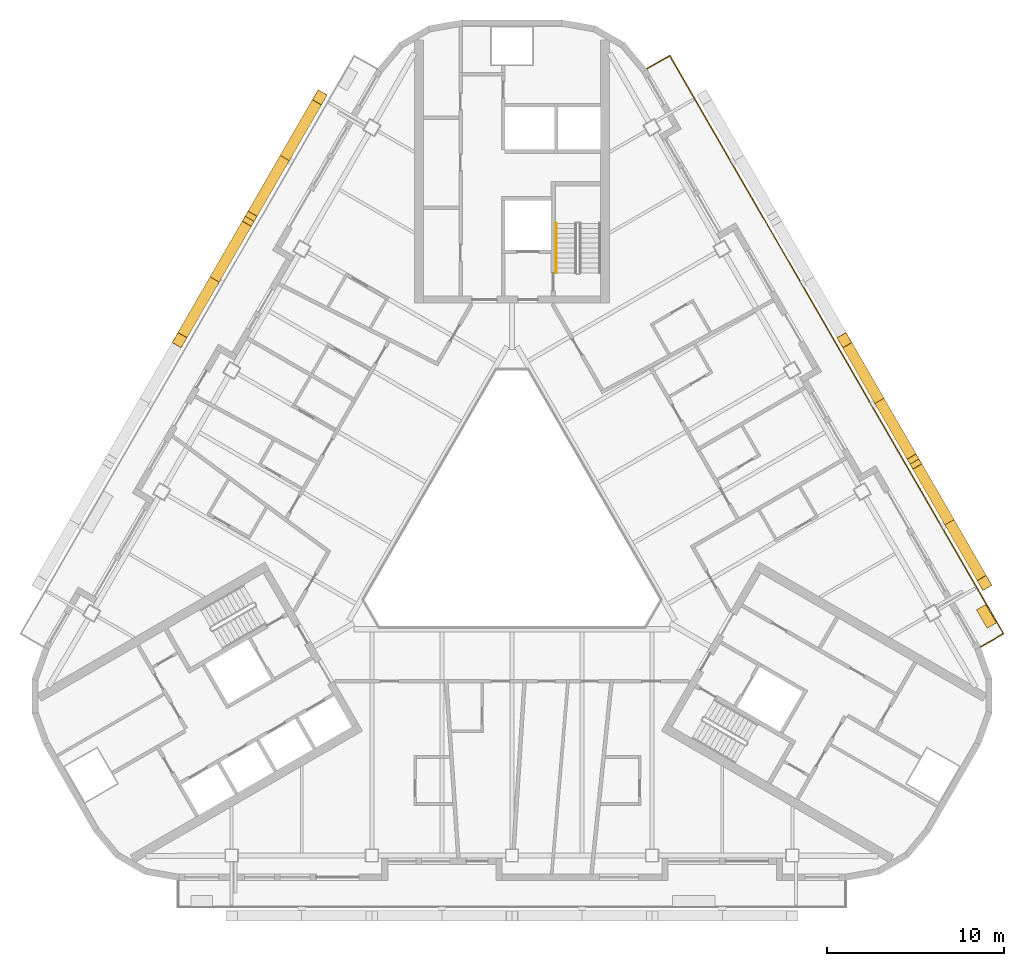
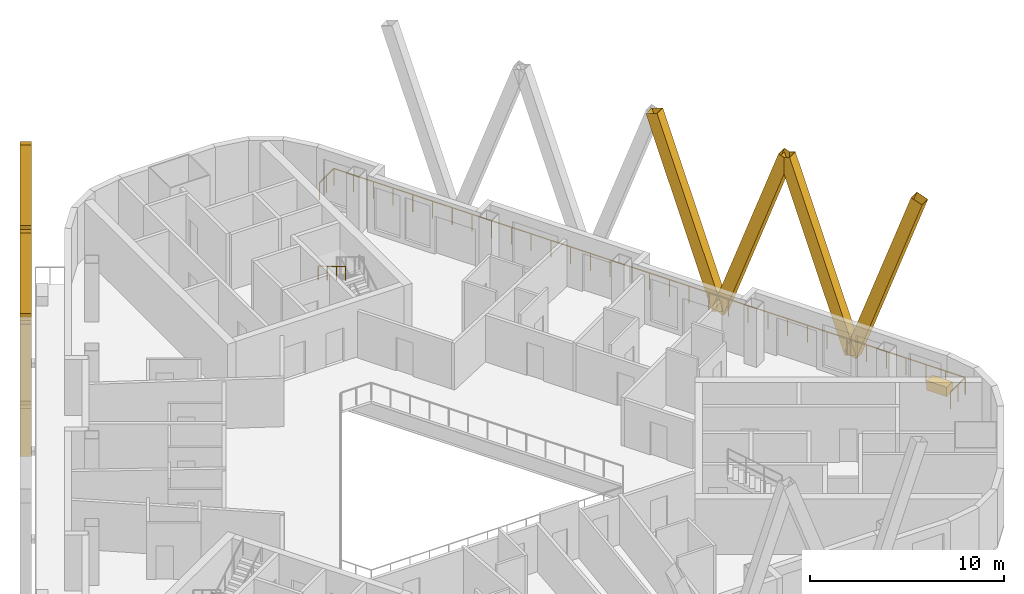
# One storey, part 13 of 14: 8 shading devices, 2 railings, 1 covering.
"""IFC4 building model written with IfcOpenShell, lengths in metres."""

import ifcopenshell
import ifcopenshell.guid

model = None  # the IFC model being written
_history = None  # IfcOwnerHistory: only IFC2X3 demands one
_inside = {}  # id of a spatial element -> (the spatial element, [elements in it])
_under = {}  # id of a project, library or spatial element -> (it, [spatial elements below it])
_declared = {}  # id of a project -> (the project, [libraries it declares])
_typed = {}  # id of a type object -> (the type object, [elements of that type])
_made_of = {}  # id of a material, layer set ... -> (it, [elements and type objects made of it])


def new_model(schema):
    """Start an empty IFC model of exactly this schema.

    Asked for "IFC4X3", IfcOpenShell would pick the latest addendum, in which some entities
    have other attributes; the version numbers below select the first issue.
    IFC2X3 requires an IfcOwnerHistory on every rooted entity: one is made here for all.
    """
    global model, _history
    if schema == "IFC4X3":
        model = ifcopenshell.file(schema_version=(4, 3, 0, 0))
    else:
        model = ifcopenshell.file(schema=schema)
    _inside.clear()
    _under.clear()
    _declared.clear()
    _typed.clear()
    _made_of.clear()
    _history = None
    if model.schema == "IFC2X3":
        org = make("IfcOrganization", Name="unknown")
        user = make(
            "IfcPersonAndOrganization",
            ThePerson=make("IfcPerson", FamilyName="unknown"),
            TheOrganization=org,
        )
        app = make(
            "IfcApplication",
            ApplicationDeveloper=org,
            Version="unknown",
            ApplicationFullName="unknown",
            ApplicationIdentifier="unknown",
        )
        _history = make(
            "IfcOwnerHistory",
            OwningUser=user,
            OwningApplication=app,
            ChangeAction="ADDED",
            CreationDate=0,
        )
    return model


def make(cls, **values):
    """One entity of the class cls with the attributes given. An attribute that is None is left unset."""
    return model.create_entity(
        cls, **{name: value for name, value in values.items() if value is not None}
    )


def rooted(cls, **values):
    """An entity with a GlobalId (a new one), such as an element, a storey or a relation."""
    return make(cls, GlobalId=ifcopenshell.guid.new(), OwnerHistory=_history, **values)


def si_unit(unit_type, name, prefix=None):
    """IfcSIUnit, for example si_unit("LENGTHUNIT", "METRE", prefix="MILLI")."""
    return make("IfcSIUnit", UnitType=unit_type, Prefix=prefix, Name=name)


def assignment(units):
    """IfcUnitAssignment: the units of a project."""
    return None if units is None else make("IfcUnitAssignment", Units=units)


def point(xyz):
    """IfcCartesianPoint."""
    return None if xyz is None else make("IfcCartesianPoint", Coordinates=xyz)


def direction(xyz):
    """IfcDirection."""
    return None if xyz is None else make("IfcDirection", DirectionRatios=xyz)


def frame(location, z_axis=None, x_axis=None):
    """IfcAxis2Placement3D, a coordinate frame: its origin and axes. An axis left out is left unset."""
    return make(
        "IfcAxis2Placement3D",
        Location=point(location),
        Axis=direction(z_axis),
        RefDirection=direction(x_axis),
    )


def frame_2d(location, x_axis=None):
    """IfcAxis2Placement2D, a coordinate frame in the plane: its origin and x axis."""
    return make(
        "IfcAxis2Placement2D", Location=point(location), RefDirection=direction(x_axis)
    )


def origin():
    """The frame at (0, 0, 0) with its axes left unset."""
    return frame((0.0, 0.0, 0.0))


def origin_2d():
    """The frame at (0, 0) in the plane with its x axis left unset."""
    return frame_2d((0.0, 0.0))


def place(relative_to, where):
    """IfcLocalPlacement: puts the frame where relative to a parent placement (None: the world)."""
    return make(
        "IfcLocalPlacement", PlacementRelTo=relative_to, RelativePlacement=where
    )


def context(
    kind, dimensions, precision=None, world=None, true_north=None, identifier=None
):
    """IfcGeometricRepresentationContext, for example the 3D "Model" context."""
    return make(
        "IfcGeometricRepresentationContext",
        ContextIdentifier=identifier,
        ContextType=kind,
        CoordinateSpaceDimension=dimensions,
        Precision=precision,
        WorldCoordinateSystem=world,
        TrueNorth=true_north,
    )


def subcontext(parent, identifier, kind, view, scale=None):
    """IfcGeometricRepresentationSubContext, for example "Body" below "Model"."""
    return make(
        "IfcGeometricRepresentationSubContext",
        ContextIdentifier=identifier,
        ContextType=kind,
        ParentContext=parent,
        TargetScale=scale,
        TargetView=view,
    )


def project(units=None, contexts=None):
    """IfcProject with its units and contexts."""
    return rooted(
        "IfcProject",
        Name="project",
        RepresentationContexts=contexts,
        UnitsInContext=assignment(units),
    )


def spatial(cls, under=None, at=None, **own):
    """A site, building, storey or space (cls), placed at a placement, below another one or the project."""
    s = rooted(cls, ObjectPlacement=at, **own)
    if under is not None:
        _under.setdefault(under.id(), (under, []))[1].append(s)
    return s


def profile(cls, at=None, kind="AREA", **sizes):
    """A parametric profile (cls). Its sizes go by their IFC names, for example OverallWidth=200.0."""
    return make(cls, ProfileType=kind, Position=at, **sizes)


def rectangle(**sizes):
    """IfcRectangleProfileDef."""
    return profile("IfcRectangleProfileDef", **sizes)


def hollow_rectangle(**sizes):
    """IfcRectangleHollowProfileDef."""
    return profile("IfcRectangleHollowProfileDef", **sizes)


def circle(**sizes):
    """IfcCircleProfileDef."""
    return profile("IfcCircleProfileDef", **sizes)


def extrude(swept, where, along, depth):
    """IfcExtrudedAreaSolid: the profile swept, set in the frame where, extruded along a direction by depth."""
    return make(
        "IfcExtrudedAreaSolid",
        SweptArea=swept,
        Position=where,
        ExtrudedDirection=direction(along),
        Depth=depth,
    )


def shape(context_of_items, identifier, shape_type, items):
    """IfcShapeRepresentation: the items that make up one representation, for example the "Body"."""
    return make(
        "IfcShapeRepresentation",
        ContextOfItems=context_of_items,
        RepresentationIdentifier=identifier,
        RepresentationType=shape_type,
        Items=items,
    )


def material(Name=None, Category=None):
    """IfcMaterial."""
    return make("IfcMaterial", Name=Name, Category=Category)


def material_profile(
    of_material, cross_section, Name=None, Category=None, Priority=None
):
    """IfcMaterialProfile: a cross section and its material."""
    return make(
        "IfcMaterialProfile",
        Name=Name,
        Material=of_material,
        Profile=cross_section,
        Priority=Priority,
        Category=Category,
    )


def profile_set(profiles, Name=None, composite=None):
    """IfcMaterialProfileSet."""
    return make(
        "IfcMaterialProfileSet",
        Name=Name,
        MaterialProfiles=profiles,
        CompositeProfile=composite,
    )


def made_of(thing, what):
    """Note that an element or type object is made of a material, layer set ...; save() writes the relation."""
    if what is not None:
        _made_of.setdefault(what.id(), (what, []))[1].append(thing)
    return thing


def type_object(cls, material=None, **own):
    """A type object (cls), such as IfcWallType, which elements share."""
    return made_of(rooted(cls, **own), material)


def element(
    cls,
    number,
    at=None,
    inside=None,
    cuts=None,
    type_object=None,
    material=None,
    context=None,
    identifier="Body",
    shape_type=None,
    held_by="IfcProductDefinitionShape",
    body=None,
    shapes=None,
    **own,
):
    """One element of the class cls, such as IfcWall. Its Tag is "e" and its number.

    at: its placement. inside: the storey or other place that contains it. cuts: it is an
    opening in that element (IfcRelVoidsElement). A single representation is given by context,
    identifier, shape_type and body (its items); several are given by shapes. held_by: the class
    of the entity that holds the representations. save() writes the other relations.
    """
    e = rooted(cls, Tag="e%d" % number, ObjectPlacement=at, **own)
    if body is not None:
        shapes = [shape(context, identifier, shape_type, body)]
    if shapes is not None:
        e.Representation = make(held_by, Representations=shapes)
    if inside is not None:
        _inside.setdefault(inside.id(), (inside, []))[1].append(e)
    if cuts is not None:
        rooted(
            "IfcRelVoidsElement", RelatingBuildingElement=cuts, RelatedOpeningElement=e
        )
    if type_object is not None:
        _typed.setdefault(type_object.id(), (type_object, []))[1].append(e)
    return made_of(e, material)


def aggregate(whole, parts):
    """IfcRelAggregates: a whole, such as a stair, and the parts it consists of."""
    return rooted("IfcRelAggregates", RelatingObject=whole, RelatedObjects=parts)


def save(model, path):
    """Write the relations noted so far, then the file.

    IfcRelAggregates (storeys below a building ...), IfcRelContainedInSpatialStructure (elements
    in a storey), IfcRelDefinesByType, IfcRelAssociatesMaterial and IfcRelDeclares: one each for
    every whole, place, type object, material and project.
    """
    for whole, parts in _under.values():
        aggregate(whole, parts)
    for where, things in _inside.values():
        rooted(
            "IfcRelContainedInSpatialStructure",
            RelatedElements=things,
            RelatingStructure=where,
        )
    for kind, things in _typed.values():
        rooted("IfcRelDefinesByType", RelatedObjects=things, RelatingType=kind)
    for what, things in _made_of.values():
        rooted("IfcRelAssociatesMaterial", RelatedObjects=things, RelatingMaterial=what)
    for by, libraries in _declared.values():
        rooted("IfcRelDeclares", RelatingContext=by, RelatedDefinitions=libraries)
    model.write(path)


model = new_model("IFC4")

# Units and contexts
model_context = context("Model", 3, precision=1e-05, world=origin(), true_north=direction((0.0, 1.0)))
body_context = subcontext(model_context, "Body", "Model", "MODEL_VIEW")
ifc_project = project(units=[si_unit("LENGTHUNIT", "METRE"), si_unit("AREAUNIT", "SQUARE_METRE"), si_unit("VOLUMEUNIT", "CUBIC_METRE"), si_unit("PLANEANGLEUNIT", "RADIAN"), si_unit("MASSUNIT", "GRAM", prefix="KILO")], contexts=[model_context])

# Site, building, storey
site_placement = place(None, origin())
site = spatial("IfcSite", under=ifc_project, at=site_placement, CompositionType="ELEMENT")
building_placement = place(site_placement, origin())
building = spatial("IfcBuilding", under=site, at=building_placement, Name="Apuvela Tower Hotel", CompositionType="ELEMENT")
storey_placement = place(building_placement, frame((0.0, 0.0, 202.10009765625)))
storey = spatial("IfcBuildingStorey", under=building, at=storey_placement, Name="L49", CompositionType="ELEMENT", Elevation=202.10009765625)

# Railing
ifc_material_1 = material(Name="Stainless steel 316 handrail", Category="steel")
railing_type_1 = type_object("IfcRailingType", Name="COR-HANDRAIL-900", PredefinedType="HANDRAIL", material=ifc_material_1)
railing_1_placement = place(storey_placement, frame((2.5, 17.39990234375, 2.01806640625)))
element("IfcRailing", 1, at=railing_1_placement, inside=storey, type_object=railing_type_1, Name="L49 ST1 stair handrail 2", PredefinedType="HANDRAIL", context=body_context, shape_type="SweptSolid", body=[
    extrude(circle(Radius=0.02392578125, at=origin_2d()), frame((0.0, 0.0, 0.8759765625), z_axis=(0.0, -0.857222391501, 0.514946377315), x_axis=(1.0, 0.0, 0.0)), (0.0, 0.0, 1.0), 3.26611328125),
    extrude(rectangle(XDim=0.0419921875, YDim=0.0419921875, at=origin_2d()), origin(), (0.0, 0.0, 1.0), 0.851806640625),
    extrude(rectangle(XDim=0.0419921875, YDim=0.0419921875, at=origin_2d()), frame((0.0, -0.933349609375, 0.560546875)), (0.0, 0.0, 1.0), 0.851806640625),
    extrude(rectangle(XDim=0.0419921875, YDim=0.0419921875, at=origin_2d()), frame((0.0, -1.866455078125, 1.121337890625)), (0.0, 0.0, 1.0), 0.851806640625),
    extrude(rectangle(XDim=0.0419921875, YDim=0.0419921875, at=origin_2d()), frame((0.0, -2.7998046875, 1.681884765625)), (0.0, 0.0, 1.0), 0.851806640625),
])

# Shading devices
ifc_material_2 = material(Name="Aluminium 6063-T6, black anodised", Category="aluminium")
ifc_material_profile = material_profile(ifc_material_2, hollow_rectangle(XDim=0.60009765625, YDim=0.699951171875, WallThickness=0.011962890625, at=origin_2d()), Name="AL BOX 700x600x12")
ifc_profile_set = profile_set([ifc_material_profile], Name="Aluminium 6063-T6, black anodised")
shading_device_type = type_object("IfcShadingDeviceType", Name="ENV-FIN-700x600", PredefinedType="USERDEFINED", material=ifc_profile_set)
for number, where, z_axis, x_axis, name in (
    (2, (24.656982421875, 0.552490234375, -0.10009765625), (0.167637761855, -0.290330368522, 0.942128365943), (0.866005453737, 0.500034552904, 0.0), "Lattice fin NE473"),
    (3, (24.656982421875, 0.552490234375, -0.10009765625), (-0.167616614035, 0.290350351818, 0.942125970292), (-0.866047669374, -0.499961432884, 0.0), "Lattice fin NE474"),
    (4, (20.70703125, 7.394287109375, -0.10009765625), (0.1676367533, -0.290349343294, 0.942122697844), (0.866020906874, 0.500007788796, 0.0), "Lattice fin NE475"),
    (5, (20.70703125, 7.394287109375, -0.10009765625), (-0.167617622475, 0.290331376992, 0.942131638451), (-0.866032218625, -0.499988196164, 0.0), "Lattice fin NE476"),
    (6, (-12.80712890625, 21.077392578125, -0.10009765625), (0.1676367533, 0.290349343294, 0.942122697844), (-0.866020906874, 0.500007788796, 0.0), "Lattice fin NW505"),
    (7, (-12.80712890625, 21.077392578125, -0.10009765625), (-0.167616614035, -0.290350351818, 0.942125970292), (0.866047669374, -0.499961432884, 0.0), "Lattice fin NW506"),
    (8, (-16.757080078125, 14.23583984375, -0.10009765625), (0.167637761855, 0.290330368522, 0.942128365943), (-0.866005453737, 0.500034552904, 0.0), "Lattice fin NW507"),
    (9, (-16.757080078125, 14.23583984375, -0.10009765625), (-0.1676367533, -0.290349343294, 0.942122697844), (0.866020906874, -0.500007788796, 0.0), "Lattice fin NW508"),
):
    element("IfcShadingDevice", number, at=place(storey_placement, frame(where, z_axis=z_axis, x_axis=x_axis)), inside=storey, type_object=shading_device_type, Name=name, ObjectType="FIN", PredefinedType="USERDEFINED", context=body_context, shape_type="SweptSolid", body=[
        extrude(hollow_rectangle(XDim=0.60009765625, YDim=0.699951171875, WallThickness=0.011962890625, at=origin_2d()), origin(), (0.0, 0.0, 1.0), 11.781982421875),
    ])

# Railing
ifc_material_3 = material(Name="Stainless steel 316 rail with laminated glass infill", Category="steel")
railing_type_2 = type_object("IfcRailingType", Name="ENV-GUARD-1100", PredefinedType="GUARDRAIL", material=ifc_material_3)
railing_2_placement = place(storey_placement, frame((26.407958984375, -6.47998046875, 0.0)))
element("IfcRailing", 10, at=railing_2_placement, inside=storey, type_object=railing_type_2, Name="Balcony guard NE L49", PredefinedType="GUARDRAIL", context=body_context, shape_type="SweptSolid", body=[
    extrude(rectangle(XDim=0.050048828125, YDim=0.050048828125, at=origin_2d()), frame((0.0, 0.0, 1.0751953125), z_axis=(0.866031096941, 0.499990139034, 0.0), x_axis=(-0.499990139034, 0.866031096941, 0.0)), (0.0, 0.0, 1.0), 1.5),
    extrude(rectangle(XDim=0.050048828125, YDim=0.050048828125, at=origin_2d()), frame((1.299072265625, 0.75, 1.0751953125), z_axis=(-0.500000437506, 0.86602515119, 0.0), x_axis=(-0.86602515119, -0.500000437506, 0.0)), (0.0, 0.0, 1.0), 37.6318359375),
    extrude(rectangle(XDim=0.050048828125, YDim=0.050048828125, at=origin_2d()), frame((-17.516845703125, 33.340087890625, 1.0751953125), z_axis=(-0.86599040064, -0.500060622324, 0.0), x_axis=(0.500060622324, -0.86599040064, 0.0)), (0.0, 0.0, 1.0), 1.499755859375),
    extrude(rectangle(XDim=0.0400390625, YDim=0.0400390625, at=origin_2d()), origin(), (0.0, 0.0, 1.0), 1.050048828125),
    extrude(rectangle(XDim=0.0400390625, YDim=0.0400390625, at=origin_2d()), frame((0.6494140625, 0.375, 0.0)), (0.0, 0.0, 1.0), 1.050048828125),
    extrude(rectangle(XDim=0.0400390625, YDim=0.0400390625, at=origin_2d()), frame((1.299072265625, 0.75, 0.0)), (0.0, 0.0, 1.0), 1.050048828125),
    extrude(rectangle(XDim=0.0400390625, YDim=0.0400390625, at=origin_2d()), frame((0.711181640625, 1.7685546875, 0.0)), (0.0, 0.0, 1.0), 1.050048828125),
    extrude(rectangle(XDim=0.0400390625, YDim=0.0400390625, at=origin_2d()), frame((0.123046875, 2.786865234375, 0.0)), (0.0, 0.0, 1.0), 1.050048828125),
    extrude(rectangle(XDim=0.0400390625, YDim=0.0400390625, at=origin_2d()), frame((-0.46484375, 3.805419921875, 0.0)), (0.0, 0.0, 1.0), 1.050048828125),
    extrude(rectangle(XDim=0.0400390625, YDim=0.0400390625, at=origin_2d()), frame((-1.052978515625, 4.82373046875, 0.0)), (0.0, 0.0, 1.0), 1.050048828125),
    extrude(rectangle(XDim=0.0400390625, YDim=0.0400390625, at=origin_2d()), frame((-1.640869140625, 5.84228515625, 0.0)), (0.0, 0.0, 1.0), 1.050048828125),
    extrude(rectangle(XDim=0.0400390625, YDim=0.0400390625, at=origin_2d()), frame((-2.22900390625, 6.860595703125, 0.0)), (0.0, 0.0, 1.0), 1.050048828125),
    extrude(rectangle(XDim=0.0400390625, YDim=0.0400390625, at=origin_2d()), frame((-2.81689453125, 7.879150390625, 0.0)), (0.0, 0.0, 1.0), 1.050048828125),
    extrude(rectangle(XDim=0.0400390625, YDim=0.0400390625, at=origin_2d()), frame((-3.40478515625, 8.8974609375, 0.0)), (0.0, 0.0, 1.0), 1.050048828125),
    extrude(rectangle(XDim=0.0400390625, YDim=0.0400390625, at=origin_2d()), frame((-3.992919921875, 9.916015625, 0.0)), (0.0, 0.0, 1.0), 1.050048828125),
    extrude(rectangle(XDim=0.0400390625, YDim=0.0400390625, at=origin_2d()), frame((-4.580810546875, 10.934326171875, 0.0)), (0.0, 0.0, 1.0), 1.050048828125),
    extrude(rectangle(XDim=0.0400390625, YDim=0.0400390625, at=origin_2d()), frame((-5.1689453125, 11.952880859375, 0.0)), (0.0, 0.0, 1.0), 1.050048828125),
    extrude(rectangle(XDim=0.0400390625, YDim=0.0400390625, at=origin_2d()), frame((-5.7568359375, 12.97119140625, 0.0)), (0.0, 0.0, 1.0), 1.050048828125),
    extrude(rectangle(XDim=0.0400390625, YDim=0.0400390625, at=origin_2d()), frame((-6.344970703125, 13.98974609375, 0.0)), (0.0, 0.0, 1.0), 1.050048828125),
    extrude(rectangle(XDim=0.0400390625, YDim=0.0400390625, at=origin_2d()), frame((-6.932861328125, 15.008056640625, 0.0)), (0.0, 0.0, 1.0), 1.050048828125),
    extrude(rectangle(XDim=0.0400390625, YDim=0.0400390625, at=origin_2d()), frame((-7.52099609375, 16.026611328125, 0.0)), (0.0, 0.0, 1.0), 1.050048828125),
    extrude(rectangle(XDim=0.0400390625, YDim=0.0400390625, at=origin_2d()), frame((-8.10888671875, 17.044921875, 0.0)), (0.0, 0.0, 1.0), 1.050048828125),
    extrude(rectangle(XDim=0.0400390625, YDim=0.0400390625, at=origin_2d()), frame((-8.69677734375, 18.0634765625, 0.0)), (0.0, 0.0, 1.0), 1.050048828125),
    extrude(rectangle(XDim=0.0400390625, YDim=0.0400390625, at=origin_2d()), frame((-9.284912109375, 19.08203125, 0.0)), (0.0, 0.0, 1.0), 1.050048828125),
    extrude(rectangle(XDim=0.0400390625, YDim=0.0400390625, at=origin_2d()), frame((-9.872802734375, 20.100341796875, 0.0)), (0.0, 0.0, 1.0), 1.050048828125),
    extrude(rectangle(XDim=0.0400390625, YDim=0.0400390625, at=origin_2d()), frame((-10.4609375, 21.118896484375, 0.0)), (0.0, 0.0, 1.0), 1.050048828125),
    extrude(rectangle(XDim=0.0400390625, YDim=0.0400390625, at=origin_2d()), frame((-11.048828125, 22.13720703125, 0.0)), (0.0, 0.0, 1.0), 1.050048828125),
    extrude(rectangle(XDim=0.0400390625, YDim=0.0400390625, at=origin_2d()), frame((-11.636962890625, 23.15576171875, 0.0)), (0.0, 0.0, 1.0), 1.050048828125),
    extrude(rectangle(XDim=0.0400390625, YDim=0.0400390625, at=origin_2d()), frame((-12.224853515625, 24.174072265625, 0.0)), (0.0, 0.0, 1.0), 1.050048828125),
    extrude(rectangle(XDim=0.0400390625, YDim=0.0400390625, at=origin_2d()), frame((-12.81298828125, 25.192626953125, 0.0)), (0.0, 0.0, 1.0), 1.050048828125),
    extrude(rectangle(XDim=0.0400390625, YDim=0.0400390625, at=origin_2d()), frame((-13.40087890625, 26.2109375, 0.0)), (0.0, 0.0, 1.0), 1.050048828125),
    extrude(rectangle(XDim=0.0400390625, YDim=0.0400390625, at=origin_2d()), frame((-13.98876953125, 27.2294921875, 0.0)), (0.0, 0.0, 1.0), 1.050048828125),
    extrude(rectangle(XDim=0.0400390625, YDim=0.0400390625, at=origin_2d()), frame((-14.576904296875, 28.247802734375, 0.0)), (0.0, 0.0, 1.0), 1.050048828125),
    extrude(rectangle(XDim=0.0400390625, YDim=0.0400390625, at=origin_2d()), frame((-15.164794921875, 29.266357421875, 0.0)), (0.0, 0.0, 1.0), 1.050048828125),
    extrude(rectangle(XDim=0.0400390625, YDim=0.0400390625, at=origin_2d()), frame((-15.7529296875, 30.28466796875, 0.0)), (0.0, 0.0, 1.0), 1.050048828125),
    extrude(rectangle(XDim=0.0400390625, YDim=0.0400390625, at=origin_2d()), frame((-16.3408203125, 31.30322265625, 0.0)), (0.0, 0.0, 1.0), 1.050048828125),
    extrude(rectangle(XDim=0.0400390625, YDim=0.0400390625, at=origin_2d()), frame((-16.928955078125, 32.321533203125, 0.0)), (0.0, 0.0, 1.0), 1.050048828125),
    extrude(rectangle(XDim=0.0400390625, YDim=0.0400390625, at=origin_2d()), frame((-17.516845703125, 33.340087890625, 0.0)), (0.0, 0.0, 1.0), 1.050048828125),
    extrude(rectangle(XDim=0.0400390625, YDim=0.0400390625, at=origin_2d()), frame((-18.166259765625, 32.965087890625, 0.0)), (0.0, 0.0, 1.0), 1.050048828125),
    extrude(rectangle(XDim=0.0400390625, YDim=0.0400390625, at=origin_2d()), frame((-18.815673828125, 32.590087890625, 0.0)), (0.0, 0.0, 1.0), 1.050048828125),
])

# Covering
ifc_material_4 = material(Name="Planting substrate and soil, planted")
covering_type = type_object("IfcCoveringType", Name="ENV-PLANTER-1200x600", PredefinedType="USERDEFINED", material=ifc_material_4)
covering_placement = place(storey_placement, frame((26.739013671875, -4.753173828125, -0.000244140625), z_axis=(0.0, 0.0, 1.0), x_axis=(-0.5, 0.866025403784, 0.0)))
element("IfcCovering", 11, at=covering_placement, inside=storey, type_object=covering_type, Name="Planter NE3", ObjectType="PLANTER", PredefinedType="USERDEFINED", context=body_context, shape_type="SweptSolid", body=[
    extrude(rectangle(XDim=1.199951171875, YDim=0.60009765625, at=origin_2d()), origin(), (0.0, 0.0, 1.0), 0.60009765625),
])

save(model, "model.ifc")
